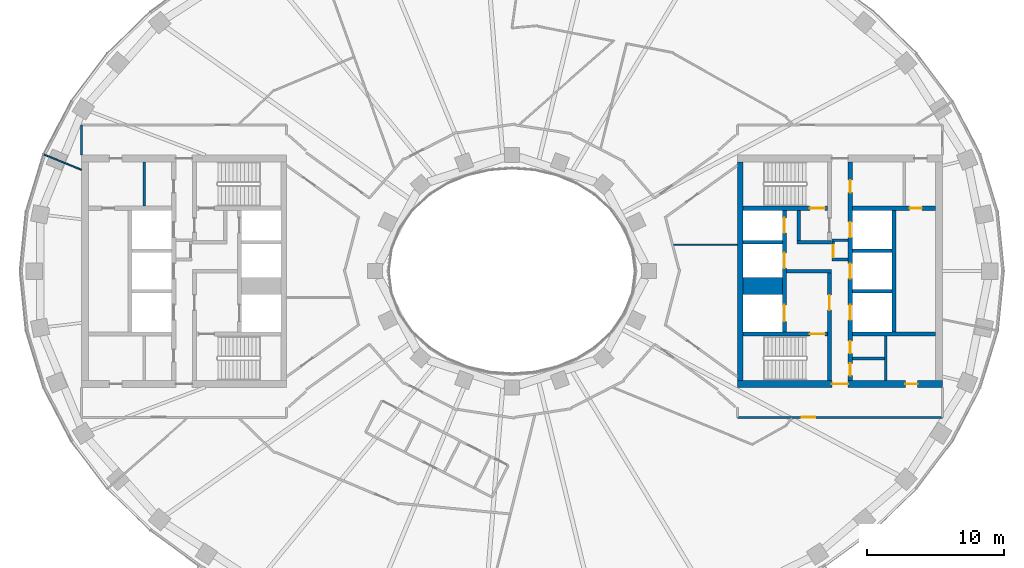
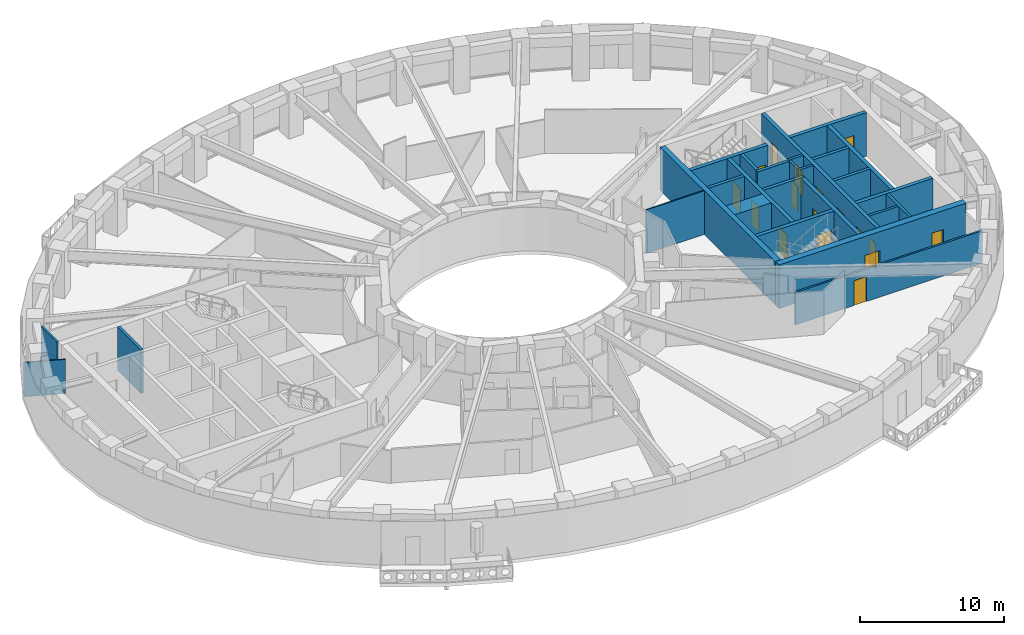
# One storey, part 5 of 15: 27 walls, 17 doors, 17 openings.
"""IFC4 building model written with IfcOpenShell, lengths in metres."""

from ifc_helpers import new_model, si_unit, direction, frame, frame_2d, origin, place, context, subcontext, project, spatial, rectangle, extrude, material, layer, layer_set, type_object, element, fill, save


model = new_model("IFC4")

# Units and contexts
model_context = context("Model", 3, precision=1e-05, world=origin(), true_north=direction((0.0, 1.0)))
body_context = subcontext(model_context, "Body", "Model", "MODEL_VIEW")
ifc_project = project(units=[si_unit("LENGTHUNIT", "METRE"), si_unit("AREAUNIT", "SQUARE_METRE"), si_unit("VOLUMEUNIT", "CUBIC_METRE"), si_unit("PLANEANGLEUNIT", "RADIAN"), si_unit("MASSUNIT", "GRAM", prefix="KILO")], contexts=[model_context])

# Site, building, storey
site_placement = place(None, origin())
site = spatial("IfcSite", under=ifc_project, at=site_placement, CompositionType="ELEMENT")
building_placement = place(site_placement, origin())
building = spatial("IfcBuilding", under=site, at=building_placement, Name="Noorbagh Ring Tower", CompositionType="ELEMENT")
storey_placement = place(building_placement, frame((0.0, 0.0, 170.0)))
storey = spatial("IfcBuildingStorey", under=building, at=storey_placement, Name="L39", CompositionType="ELEMENT", Elevation=170.0)

# Walls
ifc_material_1 = material(Name="Gypsum board on steel studs", Category="steel")
ifc_layer_1 = layer(ifc_material_1, 0.199951171875)
ifc_layer_set_1 = layer_set([ifc_layer_1], Name="Gypsum board on steel studs")
wall_type_1 = type_object("IfcWallType", Name="CORE-PARTITION-200", PredefinedType="PARTITIONING", material=ifc_layer_set_1)
wall_1_placement = place(storey_placement, frame((-26.89990234375, 4.75, 0.0), z_axis=(0.0, 0.0, 1.0), x_axis=(0.0, 1.0, 0.0)))
element("IfcWall", 1, at=wall_1_placement, inside=storey, type_object=wall_type_1, Name="Core partition W", PredefinedType="PARTITIONING", context=body_context, shape_type="SweptSolid", body=[
    extrude(rectangle(XDim=3.25, YDim=0.199951171875, at=frame_2d((1.625, 0.0))), origin(), (0.0, 0.0, 1.0), 3.699951171875),
])
for number, where, z_axis, x_axis, name in (
    (2, (23.39990234375, 0.85009765625, 0.0), (0.0, 0.0, 1.0), (1.0, 0.0, 0.0), "Core partition E"),
    (3, (23.39990234375, 2.25, 0.0), (0.0, 0.0, 1.0), (1.0, 0.0, 0.0), "Core partition E"),
):
    element("IfcWall", number, at=place(storey_placement, frame(where, z_axis=z_axis, x_axis=x_axis)), inside=storey, type_object=wall_type_1, Name=name, PredefinedType="PARTITIONING", context=body_context, shape_type="SweptSolid", body=[
        extrude(rectangle(XDim=1.2001953125, YDim=0.199951171875, at=frame_2d((0.60009765625, 0.0))), origin(), (0.0, 0.0, 1.0), 3.699951171875),
    ])

# Wall, opening, door
wall_2_placement = place(storey_placement, frame((23.5, 0.75, 0.0), z_axis=(0.0, 0.0, 1.0), x_axis=(0.0, 1.0, 0.0)))
wall_2 = element("IfcWall", 4, at=wall_2_placement, inside=storey, type_object=wall_type_1, Name="Core partition E", PredefinedType="PARTITIONING", context=body_context, shape_type="SweptSolid", body=[
    extrude(rectangle(XDim=1.60009765625, YDim=0.199951171875, at=frame_2d((0.800048828125, 0.0))), origin(), (0.0, 0.0, 1.0), 3.699951171875),
])
opening_1_placement = place(wall_2_placement, frame((0.25, 0.0, 0.0)))
opening_1 = element("IfcOpeningElement", 5, at=opening_1_placement, cuts=wall_2, Name="Opening L39-CE18", PredefinedType="OPENING", context=body_context, shape_type="SweptSolid", body=[
    extrude(rectangle(XDim=0.89990234375, YDim=2.10009765625, at=frame_2d((0.449951171875, 1.050048828125))), frame((0.0, 0.10986328125, 0.0), z_axis=(0.0, -1.0, 0.0), x_axis=(1.0, 0.0, 0.0)), (0.0, 0.0, 1.0), 0.219970703125),
])
ifc_material_2 = material(Name="Steel door leaf", Category="steel")
door_type_1 = type_object("IfcDoorType", Name="CORE-DOOR-DROOM", OperationType="SINGLE_SWING_LEFT", PredefinedType="DOOR", material=ifc_material_2)
door_1_placement = place(opening_1_placement, origin())
door_1 = element("IfcDoor", 6, at=door_1_placement, inside=storey, type_object=door_type_1, Name="Core room door L39-CE18", OperationType="SINGLE_SWING_LEFT", OverallHeight=2.10009765625, OverallWidth=0.89990234375, PredefinedType="DOOR", context=body_context, shape_type="SweptSolid", body=[
    extrude(rectangle(XDim=0.89990234375, YDim=2.10009765625, at=frame_2d((0.449951171875, 1.050048828125))), frame((0.0, 0.02490234375, 0.0), z_axis=(0.0, -1.0, 0.0), x_axis=(1.0, 0.0, 0.0)), (0.0, 0.0, 1.0), 0.050048828125),
])
fill(opening_1, door_1)

# Walls
wall_3_placement = place(storey_placement, frame((27.35009765625, -8.0, 0.0), z_axis=(0.0, 0.0, 1.0), x_axis=(0.0, 1.0, 0.0)))
element("IfcWall", 7, at=wall_3_placement, inside=storey, type_object=wall_type_1, Name="Core partition E", PredefinedType="PARTITIONING", context=body_context, shape_type="SweptSolid", body=[
    extrude(rectangle(XDim=3.25, YDim=0.199951171875, at=frame_2d((1.625, 0.0))), origin(), (0.0, 0.0, 1.0), 3.699951171875),
])
wall_4_placement = place(storey_placement, frame((24.89990234375, -6.39990234375, 0.0), z_axis=(0.0, 0.0, 1.0), x_axis=(1.0, 0.0, 0.0)))
element("IfcWall", 8, at=wall_4_placement, inside=storey, type_object=wall_type_1, Name="Core partition E", PredefinedType="PARTITIONING", context=body_context, shape_type="SweptSolid", body=[
    extrude(rectangle(XDim=2.35009765625, YDim=0.199951171875, at=frame_2d((1.175048828125, 0.0))), origin(), (0.0, 0.0, 1.0), 3.699951171875),
])
ifc_material_3 = material(Name="Concrete C60/75", Category="concrete")
ifc_layer_2 = layer(ifc_material_3, 1.25)
ifc_layer_set_2 = layer_set([ifc_layer_2], Name="Concrete C60/75")
wall_type_2 = type_object("IfcWallType", Name="CORE-WALL-1250-C60-75-EI120", PredefinedType="SHEAR", material=ifc_layer_set_2)
wall_5_placement = place(storey_placement, frame((16.89990234375, -1.074951171875, 0.0), z_axis=(0.0, 0.0, 1.0), x_axis=(1.0, 0.0, 0.0)))
element("IfcWall", 9, at=wall_5_placement, inside=storey, type_object=wall_type_2, Name="Core wall E", PredefinedType="SHEAR", context=body_context, shape_type="SweptSolid", body=[
    extrude(rectangle(XDim=2.900146484375, YDim=1.25, at=frame_2d((1.4501953125, 0.0))), origin(), (0.0, 0.0, 1.0), 3.699951171875),
])
ifc_material_4 = material(Name="Concrete C60/75", Category="concrete")
ifc_layer_3 = layer(ifc_material_4, 0.25)
ifc_layer_set_3 = layer_set([ifc_layer_3], Name="Concrete C60/75")
wall_type_3 = type_object("IfcWallType", Name="CORE-WALL-250-C60-75-EI120", PredefinedType="SHEAR", material=ifc_layer_set_3)
for number, where, z_axis, x_axis, name in (
    (10, (16.89990234375, 2.125, 0.0), (0.0, 0.0, 1.0), (1.0, 0.0, 0.0), "Core wall E"),
    (11, (24.89990234375, -1.47509765625, 0.0), (0.0, 0.0, 1.0), (1.0, 0.0, 0.0), "Core wall E"),
    (12, (24.89990234375, 1.47509765625, 0.0), (0.0, 0.0, 1.0), (1.0, 0.0, 0.0), "Core wall E"),
):
    element("IfcWall", number, at=place(storey_placement, frame(where, z_axis=z_axis, x_axis=x_axis)), inside=storey, type_object=wall_type_3, Name=name, PredefinedType="SHEAR", context=body_context, shape_type="SweptSolid", body=[
        extrude(rectangle(XDim=2.900146484375, YDim=0.25, at=frame_2d((1.4501953125, 0.0))), origin(), (0.0, 0.0, 1.0), 3.699951171875),
    ])
ifc_material_5 = material(Name="Concrete C60/75", Category="concrete")
ifc_layer_4 = layer(ifc_material_5, 0.25)
ifc_layer_set_4 = layer_set([ifc_layer_4], Name="Concrete C60/75")
wall_type_4 = type_object("IfcWallType", Name="CORE-WALL-250-C60-75-EI240", PredefinedType="SHEAR", material=ifc_layer_set_4)
wall_6_placement = place(storey_placement, frame((20.10009765625, 0.0, 0.0), z_axis=(0.0, 0.0, 1.0), x_axis=(1.0, 0.0, 0.0)))
element("IfcWall", 13, at=wall_6_placement, inside=storey, type_object=wall_type_4, Name="Core wall E", PredefinedType="SHEAR", context=body_context, shape_type="SweptSolid", body=[
    extrude(rectangle(XDim=3.27978515625, YDim=0.25, at=frame_2d((1.639892578125, 0.0))), origin(), (0.0, 0.0, 1.0), 3.699951171875),
])
wall_7_placement = place(storey_placement, frame((20.85009765625, 2.125, 0.0), z_axis=(0.0, 0.0, 1.0), x_axis=(1.0, 0.0, 0.0)))
element("IfcWall", 14, at=wall_7_placement, inside=storey, type_object=wall_type_4, Name="Core wall E", PredefinedType="SHEAR", context=body_context, shape_type="SweptSolid", body=[
    extrude(rectangle(XDim=2.52978515625, YDim=0.25, at=frame_2d((1.264892578125, 0.0))), origin(), (0.0, 0.0, 1.0), 3.699951171875),
])
wall_8_placement = place(storey_placement, frame((20.97509765625, 2.25, 0.0), z_axis=(0.0, 0.0, 1.0), x_axis=(0.0, 1.0, 0.0)))
element("IfcWall", 15, at=wall_8_placement, inside=storey, type_object=wall_type_4, Name="Core wall E", PredefinedType="SHEAR", context=body_context, shape_type="SweptSolid", body=[
    extrude(rectangle(XDim=2.199951171875, YDim=0.25, at=frame_2d((1.10009765625, 0.0))), origin(), (0.0, 0.0, 1.0), 3.699951171875),
])
ifc_material_6 = material(Name="Concrete C60/75", Category="concrete")
ifc_layer_5 = layer(ifc_material_6, 0.300048828125)
ifc_layer_set_5 = layer_set([ifc_layer_5], Name="Concrete C60/75")
wall_type_5 = type_object("IfcWallType", Name="CORE-WALL-300-C60-75-EI120", PredefinedType="SHEAR", material=ifc_layer_set_5)
wall_9_placement = place(storey_placement, frame((27.949951171875, -4.449951171875, 0.0), z_axis=(0.0, 0.0, 1.0), x_axis=(0.0, 1.0, 0.0)))
element("IfcWall", 16, at=wall_9_placement, inside=storey, type_object=wall_type_5, Name="Core wall E", PredefinedType="SHEAR", context=body_context, shape_type="SweptSolid", body=[
    extrude(rectangle(XDim=8.89990234375, YDim=0.300048828125, at=frame_2d((4.449951171875, 0.0))), origin(), (0.0, 0.0, 1.0), 3.699951171875),
])

# Wall, openings, doors
wall_10_placement = place(storey_placement, frame((19.949951171875, -4.449951171875, 0.0), z_axis=(0.0, 0.0, 1.0), x_axis=(0.0, 1.0, 0.0)))
wall_10 = element("IfcWall", 17, at=wall_10_placement, inside=storey, type_object=wall_type_5, Name="Core wall E", PredefinedType="SHEAR", context=body_context, shape_type="SweptSolid", body=[
    extrude(rectangle(XDim=8.89990234375, YDim=0.300048828125, at=frame_2d((4.449951171875, 0.0))), origin(), (0.0, 0.0, 1.0), 3.699951171875),
])
opening_2_placement = place(wall_10_placement, frame((0.77490234375, 0.0, 0.0)))
opening_2 = element("IfcOpeningElement", 18, at=opening_2_placement, cuts=wall_10, Name="Opening L39-CE01", PredefinedType="OPENING", context=body_context, shape_type="SweptSolid", body=[
    extrude(rectangle(XDim=1.199951171875, YDim=2.10009765625, at=frame_2d((0.60009765625, 1.050048828125))), frame((0.0, 0.16015625, 0.0), z_axis=(0.0, -1.0, 0.0), x_axis=(1.0, 0.0, 0.0)), (0.0, 0.0, 1.0), 0.320068359375),
])
opening_3_placement = place(wall_10_placement, frame((4.675048828125, 0.0, 0.0)))
opening_3 = element("IfcOpeningElement", 19, at=opening_3_placement, cuts=wall_10, Name="Opening L39-CE02", PredefinedType="OPENING", context=body_context, shape_type="SweptSolid", body=[
    extrude(rectangle(XDim=1.10009765625, YDim=2.10009765625, at=frame_2d((0.550048828125, 1.050048828125))), frame((0.0, 0.16015625, 0.0), z_axis=(0.0, -1.0, 0.0), x_axis=(1.0, 0.0, 0.0)), (0.0, 0.0, 1.0), 0.320068359375),
])
opening_4_placement = place(wall_10_placement, frame((7.25, 0.0, 0.0)))
opening_4 = element("IfcOpeningElement", 20, at=opening_4_placement, cuts=wall_10, Name="Opening L39-CE03", PredefinedType="OPENING", context=body_context, shape_type="SweptSolid", body=[
    extrude(rectangle(XDim=1.10009765625, YDim=2.10009765625, at=frame_2d((0.550048828125, 1.050048828125))), frame((0.0, 0.16015625, 0.0), z_axis=(0.0, -1.0, 0.0), x_axis=(1.0, 0.0, 0.0)), (0.0, 0.0, 1.0), 0.320068359375),
])
ifc_material_7 = material(Name="Steel door leaf", Category="steel")
door_type_2 = type_object("IfcDoorType", Name="CORE-DOOR-LD", OperationType="DOUBLE_DOOR_SLIDING", PredefinedType="DOOR", material=ifc_material_7)
door_2_placement = place(opening_3_placement, origin())
door_2 = element("IfcDoor", 21, at=door_2_placement, inside=storey, type_object=door_type_2, Name="Landing door HR7 L39-CE02", OperationType="DOUBLE_DOOR_SLIDING", OverallHeight=2.10009765625, OverallWidth=1.10009765625, PredefinedType="DOOR", context=body_context, shape_type="SweptSolid", body=[
    extrude(rectangle(XDim=1.10009765625, YDim=2.10009765625, at=frame_2d((0.550048828125, 1.050048828125))), frame((0.0, 0.02490234375, 0.0), z_axis=(0.0, -1.0, 0.0), x_axis=(1.0, 0.0, 0.0)), (0.0, 0.0, 1.0), 0.050048828125),
])
fill(opening_3, door_2)
door_3_placement = place(opening_4_placement, origin())
door_3 = element("IfcDoor", 22, at=door_3_placement, inside=storey, type_object=door_type_2, Name="Landing door HR8 L39-CE03", OperationType="DOUBLE_DOOR_SLIDING", OverallHeight=2.10009765625, OverallWidth=1.10009765625, PredefinedType="DOOR", context=body_context, shape_type="SweptSolid", body=[
    extrude(rectangle(XDim=1.10009765625, YDim=2.10009765625, at=frame_2d((0.550048828125, 1.050048828125))), frame((0.0, 0.02490234375, 0.0), z_axis=(0.0, -1.0, 0.0), x_axis=(1.0, 0.0, 0.0)), (0.0, 0.0, 1.0), 0.050048828125),
])
fill(opening_4, door_3)
ifc_material_8 = material(Name="Steel door leaf", Category="steel")
door_type_3 = type_object("IfcDoorType", Name="CORE-DOOR-LDW", OperationType="DOUBLE_DOOR_SLIDING", PredefinedType="DOOR", material=ifc_material_8)
door_4_placement = place(opening_2_placement, origin())
door_4 = element("IfcDoor", 23, at=door_4_placement, inside=storey, type_object=door_type_3, Name="Landing door FF2 L39-CE01", OperationType="DOUBLE_DOOR_SLIDING", OverallHeight=2.10009765625, OverallWidth=1.199951171875, PredefinedType="DOOR", context=body_context, shape_type="SweptSolid", body=[
    extrude(rectangle(XDim=1.199951171875, YDim=2.10009765625, at=frame_2d((0.60009765625, 1.050048828125))), frame((0.0, 0.02490234375, 0.0), z_axis=(0.0, -1.0, 0.0), x_axis=(1.0, 0.0, 0.0)), (0.0, 0.0, 1.0), 0.050048828125),
])
fill(opening_2, door_4)

wall_11_placement = place(storey_placement, frame((24.75, -8.0, 0.0), z_axis=(0.0, 0.0, 1.0), x_axis=(0.0, 1.0, 0.0)))
wall_11 = element("IfcWall", 24, at=wall_11_placement, inside=storey, type_object=wall_type_5, Name="Core wall E", PredefinedType="SHEAR", context=body_context, shape_type="SweptSolid", body=[
    extrude(rectangle(XDim=16.0, YDim=0.300048828125, at=frame_2d((8.0, 0.0))), origin(), (0.0, 0.0, 1.0), 3.699951171875),
])
opening_5_placement = place(wall_11_placement, frame((4.425048828125, 0.0, 0.0)))
opening_5 = element("IfcOpeningElement", 25, at=opening_5_placement, cuts=wall_11, Name="Opening L39-CE04", PredefinedType="OPENING", context=body_context, shape_type="SweptSolid", body=[
    extrude(rectangle(XDim=1.10009765625, YDim=2.10009765625, at=frame_2d((0.550048828125, 1.050048828125))), frame((0.0, 0.16015625, 0.0), z_axis=(0.0, -1.0, 0.0), x_axis=(1.0, 0.0, 0.0)), (0.0, 0.0, 1.0), 0.320068359375),
])
opening_6_placement = place(wall_11_placement, frame((7.449951171875, 0.0, 0.0)))
opening_6 = element("IfcOpeningElement", 26, at=opening_6_placement, cuts=wall_11, Name="Opening L39-CE05", PredefinedType="OPENING", context=body_context, shape_type="SweptSolid", body=[
    extrude(rectangle(XDim=1.10009765625, YDim=2.10009765625, at=frame_2d((0.550048828125, 1.050048828125))), frame((0.0, 0.16015625, 0.0), z_axis=(0.0, -1.0, 0.0), x_axis=(1.0, 0.0, 0.0)), (0.0, 0.0, 1.0), 0.320068359375),
])
opening_7_placement = place(wall_11_placement, frame((10.47509765625, 0.0, 0.0)))
opening_7 = element("IfcOpeningElement", 27, at=opening_7_placement, cuts=wall_11, Name="Opening L39-CE06", PredefinedType="OPENING", context=body_context, shape_type="SweptSolid", body=[
    extrude(rectangle(XDim=1.10009765625, YDim=2.10009765625, at=frame_2d((0.550048828125, 1.050048828125))), frame((0.0, 0.16015625, 0.0), z_axis=(0.0, -1.0, 0.0), x_axis=(1.0, 0.0, 0.0)), (0.0, 0.0, 1.0), 0.320068359375),
])
opening_8_placement = place(wall_11_placement, frame((13.75, 0.0, 0.0)))
opening_8 = element("IfcOpeningElement", 28, at=opening_8_placement, cuts=wall_11, Name="Opening L39-CE13", PredefinedType="OPENING", context=body_context, shape_type="SweptSolid", body=[
    extrude(rectangle(XDim=0.89990234375, YDim=2.10009765625, at=frame_2d((0.449951171875, 1.050048828125))), frame((0.0, 0.16015625, 0.0), z_axis=(0.0, -1.0, 0.0), x_axis=(1.0, 0.0, 0.0)), (0.0, 0.0, 1.0), 0.320068359375),
])
opening_9_placement = place(wall_11_placement, frame((1.97509765625, 0.0, 0.0)))
opening_9 = element("IfcOpeningElement", 29, at=opening_9_placement, cuts=wall_11, Name="Opening L39-CE15", PredefinedType="OPENING", context=body_context, shape_type="SweptSolid", body=[
    extrude(rectangle(XDim=0.89990234375, YDim=2.10009765625, at=frame_2d((0.449951171875, 1.050048828125))), frame((0.0, 0.16015625, 0.0), z_axis=(0.0, -1.0, 0.0), x_axis=(1.0, 0.0, 0.0)), (0.0, 0.0, 1.0), 0.320068359375),
])
opening_10_placement = place(wall_11_placement, frame((0.35009765625, 0.0, 0.0)))
opening_10 = element("IfcOpeningElement", 30, at=opening_10_placement, cuts=wall_11, Name="Opening L39-CE16", PredefinedType="OPENING", context=body_context, shape_type="SweptSolid", body=[
    extrude(rectangle(XDim=0.89990234375, YDim=2.10009765625, at=frame_2d((0.449951171875, 1.050048828125))), frame((0.0, 0.16015625, 0.0), z_axis=(0.0, -1.0, 0.0), x_axis=(1.0, 0.0, 0.0)), (0.0, 0.0, 1.0), 0.320068359375),
])
door_5_placement = place(opening_8_placement, origin())
door_5 = element("IfcDoor", 31, at=door_5_placement, inside=storey, type_object=door_type_1, Name="Core room door L39-CE13", OperationType="SINGLE_SWING_LEFT", OverallHeight=2.10009765625, OverallWidth=0.89990234375, PredefinedType="DOOR", context=body_context, shape_type="SweptSolid", body=[
    extrude(rectangle(XDim=0.89990234375, YDim=2.10009765625, at=frame_2d((0.449951171875, 1.050048828125))), frame((0.0, 0.02490234375, 0.0), z_axis=(0.0, -1.0, 0.0), x_axis=(1.0, 0.0, 0.0)), (0.0, 0.0, 1.0), 0.050048828125),
])
fill(opening_8, door_5)
door_6_placement = place(opening_9_placement, origin())
door_6 = element("IfcDoor", 32, at=door_6_placement, inside=storey, type_object=door_type_1, Name="Core room door L39-CE15", OperationType="SINGLE_SWING_LEFT", OverallHeight=2.10009765625, OverallWidth=0.89990234375, PredefinedType="DOOR", context=body_context, shape_type="SweptSolid", body=[
    extrude(rectangle(XDim=0.89990234375, YDim=2.10009765625, at=frame_2d((0.449951171875, 1.050048828125))), frame((0.0, 0.02490234375, 0.0), z_axis=(0.0, -1.0, 0.0), x_axis=(1.0, 0.0, 0.0)), (0.0, 0.0, 1.0), 0.050048828125),
])
fill(opening_9, door_6)
door_7_placement = place(opening_10_placement, origin())
door_7 = element("IfcDoor", 33, at=door_7_placement, inside=storey, type_object=door_type_1, Name="Core room door L39-CE16", OperationType="SINGLE_SWING_RIGHT", OverallHeight=2.10009765625, OverallWidth=0.89990234375, PredefinedType="DOOR", context=body_context, shape_type="SweptSolid", body=[
    extrude(rectangle(XDim=0.89990234375, YDim=2.10009765625, at=frame_2d((0.449951171875, 1.050048828125))), frame((0.0, 0.02490234375, 0.0), z_axis=(0.0, -1.0, 0.0), x_axis=(1.0, 0.0, 0.0)), (0.0, 0.0, 1.0), 0.050048828125),
])
fill(opening_10, door_7)
door_8_placement = place(opening_5_placement, origin())
door_8 = element("IfcDoor", 34, at=door_8_placement, inside=storey, type_object=door_type_2, Name="Landing door HR9 L39-CE04", OperationType="DOUBLE_DOOR_SLIDING", OverallHeight=2.10009765625, OverallWidth=1.10009765625, PredefinedType="DOOR", context=body_context, shape_type="SweptSolid", body=[
    extrude(rectangle(XDim=1.10009765625, YDim=2.10009765625, at=frame_2d((0.550048828125, 1.050048828125))), frame((0.0, 0.02490234375, 0.0), z_axis=(0.0, -1.0, 0.0), x_axis=(1.0, 0.0, 0.0)), (0.0, 0.0, 1.0), 0.050048828125),
])
fill(opening_5, door_8)
door_9_placement = place(opening_6_placement, origin())
door_9 = element("IfcDoor", 35, at=door_9_placement, inside=storey, type_object=door_type_2, Name="Landing door HR10 L39-CE05", OperationType="DOUBLE_DOOR_SLIDING", OverallHeight=2.10009765625, OverallWidth=1.10009765625, PredefinedType="DOOR", context=body_context, shape_type="SweptSolid", body=[
    extrude(rectangle(XDim=1.10009765625, YDim=2.10009765625, at=frame_2d((0.550048828125, 1.050048828125))), frame((0.0, 0.02490234375, 0.0), z_axis=(0.0, -1.0, 0.0), x_axis=(1.0, 0.0, 0.0)), (0.0, 0.0, 1.0), 0.050048828125),
])
fill(opening_6, door_9)
door_10_placement = place(opening_7_placement, origin())
door_10 = element("IfcDoor", 36, at=door_10_placement, inside=storey, type_object=door_type_2, Name="Landing door HR11 L39-CE06", OperationType="DOUBLE_DOOR_SLIDING", OverallHeight=2.10009765625, OverallWidth=1.10009765625, PredefinedType="DOOR", context=body_context, shape_type="SweptSolid", body=[
    extrude(rectangle(XDim=1.10009765625, YDim=2.10009765625, at=frame_2d((0.550048828125, 1.050048828125))), frame((0.0, 0.02490234375, 0.0), z_axis=(0.0, -1.0, 0.0), x_axis=(1.0, 0.0, 0.0)), (0.0, 0.0, 1.0), 0.050048828125),
])
fill(opening_7, door_10)

# Wall, opening, door
ifc_material_9 = material(Name="Concrete C60/75", Category="concrete")
ifc_layer_6 = layer(ifc_material_9, 0.300048828125)
ifc_layer_set_6 = layer_set([ifc_layer_6], Name="Concrete C60/75")
wall_type_6 = type_object("IfcWallType", Name="CORE-WALL-300-C60-75-EI240", PredefinedType="SHEAR", material=ifc_layer_set_6)
wall_12_placement = place(storey_placement, frame((24.89990234375, 4.60009765625, 0.0), z_axis=(0.0, 0.0, 1.0), x_axis=(1.0, 0.0, 0.0)))
wall_12 = element("IfcWall", 37, at=wall_12_placement, inside=storey, type_object=wall_type_6, Name="Core wall E", PredefinedType="SHEAR", context=body_context, shape_type="SweptSolid", body=[
    extrude(rectangle(XDim=6.10009765625, YDim=0.300048828125, at=frame_2d((3.050048828125, 0.0))), origin(), (0.0, 0.0, 1.0), 3.699951171875),
])
opening_11_placement = place(wall_12_placement, frame((4.199951171875, 0.0, 0.0)))
opening_11 = element("IfcOpeningElement", 38, at=opening_11_placement, cuts=wall_12, Name="Opening L39-CE19", PredefinedType="OPENING", context=body_context, shape_type="SweptSolid", body=[
    extrude(rectangle(XDim=0.89990234375, YDim=2.10009765625, at=frame_2d((0.449951171875, 1.050048828125))), frame((0.0, 0.16015625, 0.0), z_axis=(0.0, -1.0, 0.0), x_axis=(1.0, 0.0, 0.0)), (0.0, 0.0, 1.0), 0.320068359375),
])
door_11_placement = place(opening_11_placement, origin())
door_11 = element("IfcDoor", 39, at=door_11_placement, inside=storey, type_object=door_type_1, Name="Core room door L39-CE19", OperationType="SINGLE_SWING_RIGHT", OverallHeight=2.10009765625, OverallWidth=0.89990234375, PredefinedType="DOOR", context=body_context, shape_type="SweptSolid", body=[
    extrude(rectangle(XDim=0.89990234375, YDim=2.10009765625, at=frame_2d((0.449951171875, 1.050048828125))), frame((0.0, 0.02490234375, 0.0), z_axis=(0.0, -1.0, 0.0), x_axis=(1.0, 0.0, 0.0)), (0.0, 0.0, 1.0), 0.050048828125),
])
fill(opening_11, door_11)

# Wall
wall_13_placement = place(storey_placement, frame((24.89990234375, -4.60009765625, 0.0), z_axis=(0.0, 0.0, 1.0), x_axis=(1.0, 0.0, 0.0)))
element("IfcWall", 40, at=wall_13_placement, inside=storey, type_object=wall_type_6, Name="Core wall E", PredefinedType="SHEAR", context=body_context, shape_type="SweptSolid", body=[
    extrude(rectangle(XDim=6.10009765625, YDim=0.300048828125, at=frame_2d((3.050048828125, 0.0))), origin(), (0.0, 0.0, 1.0), 3.699951171875),
])

# Wall, opening, door
wall_14_placement = place(storey_placement, frame((23.22998046875, -8.0, 0.0), z_axis=(0.0, 0.0, 1.0), x_axis=(0.0, 1.0, 0.0)))
wall_14 = element("IfcWall", 41, at=wall_14_placement, inside=storey, type_object=wall_type_6, Name="Core wall E", PredefinedType="SHEAR", context=body_context, shape_type="SweptSolid", body=[
    extrude(rectangle(XDim=7.875, YDim=0.300048828125, at=frame_2d((3.9375, 0.0))), origin(), (0.0, 0.0, 1.0), 3.699951171875),
])
opening_12_placement = place(wall_14_placement, frame((5.14990234375, 0.0, 0.0)))
opening_12 = element("IfcOpeningElement", 42, at=opening_12_placement, cuts=wall_14, Name="Opening L39-CE09", PredefinedType="OPENING", context=body_context, shape_type="SweptSolid", body=[
    extrude(rectangle(XDim=1.10009765625, YDim=2.10009765625, at=frame_2d((0.550048828125, 1.050048828125))), frame((0.0, 0.16015625, 0.0), z_axis=(0.0, -1.0, 0.0), x_axis=(1.0, 0.0, 0.0)), (0.0, 0.0, 1.0), 0.320068359375),
])
ifc_material_10 = material(Name="Steel door leaf", Category="steel")
door_type_4 = type_object("IfcDoorType", Name="CORE-DOOR-DFF", OperationType="SINGLE_SWING_LEFT", PredefinedType="DOOR", material=ifc_material_10)
door_12_placement = place(opening_12_placement, origin())
door_12 = element("IfcDoor", 43, at=door_12_placement, inside=storey, type_object=door_type_4, Name="Firefighting lobby door L39-CE09", OperationType="SINGLE_SWING_RIGHT", OverallHeight=2.10009765625, OverallWidth=1.10009765625, PredefinedType="DOOR", context=body_context, shape_type="SweptSolid", body=[
    extrude(rectangle(XDim=1.10009765625, YDim=2.10009765625, at=frame_2d((0.550048828125, 1.050048828125))), frame((0.0, 0.02490234375, 0.0), z_axis=(0.0, -1.0, 0.0), x_axis=(1.0, 0.0, 0.0)), (0.0, 0.0, 1.0), 0.050048828125),
])
fill(opening_12, door_12)

wall_15_placement = place(storey_placement, frame((16.89990234375, 4.60009765625, 0.0), z_axis=(0.0, 0.0, 1.0), x_axis=(1.0, 0.0, 0.0)))
wall_15 = element("IfcWall", 44, at=wall_15_placement, inside=storey, type_object=wall_type_6, Name="Core wall E", PredefinedType="SHEAR", context=body_context, shape_type="SweptSolid", body=[
    extrude(rectangle(XDim=6.18017578125, YDim=0.300048828125, at=frame_2d((3.090087890625, 0.0))), origin(), (0.0, 0.0, 1.0), 3.699951171875),
])
opening_13_placement = place(wall_15_placement, frame((4.89990234375, 0.0, 0.0)))
opening_13 = element("IfcOpeningElement", 45, at=opening_13_placement, cuts=wall_15, Name="Opening L39-CE07", PredefinedType="OPENING", context=body_context, shape_type="SweptSolid", body=[
    extrude(rectangle(XDim=1.10009765625, YDim=2.10009765625, at=frame_2d((0.550048828125, 1.050048828125))), frame((0.0, 0.16015625, 0.0), z_axis=(0.0, -1.0, 0.0), x_axis=(1.0, 0.0, 0.0)), (0.0, 0.0, 1.0), 0.320068359375),
])
ifc_material_11 = material(Name="Steel door leaf", Category="steel")
door_type_5 = type_object("IfcDoorType", Name="CORE-DOOR-DSTAIR", OperationType="SINGLE_SWING_LEFT", PredefinedType="DOOR", material=ifc_material_11)
door_13_placement = place(opening_13_placement, origin())
door_13 = element("IfcDoor", 46, at=door_13_placement, inside=storey, type_object=door_type_5, Name="Stair door ST3 L39-CE07", OperationType="SINGLE_SWING_LEFT", OverallHeight=2.10009765625, OverallWidth=1.10009765625, PredefinedType="DOOR", context=body_context, shape_type="SweptSolid", body=[
    extrude(rectangle(XDim=1.10009765625, YDim=2.10009765625, at=frame_2d((0.550048828125, 1.050048828125))), frame((0.0, 0.02490234375, 0.0), z_axis=(0.0, -1.0, 0.0), x_axis=(1.0, 0.0, 0.0)), (0.0, 0.0, 1.0), 0.050048828125),
])
fill(opening_13, door_13)

wall_16_placement = place(storey_placement, frame((16.89990234375, -4.60009765625, 0.0), z_axis=(0.0, 0.0, 1.0), x_axis=(1.0, 0.0, 0.0)))
wall_16 = element("IfcWall", 47, at=wall_16_placement, inside=storey, type_object=wall_type_6, Name="Core wall E", PredefinedType="SHEAR", context=body_context, shape_type="SweptSolid", body=[
    extrude(rectangle(XDim=6.18017578125, YDim=0.300048828125, at=frame_2d((3.090087890625, 0.0))), origin(), (0.0, 0.0, 1.0), 3.699951171875),
])
opening_14_placement = place(wall_16_placement, frame((4.89990234375, 0.0, 0.0)))
opening_14 = element("IfcOpeningElement", 48, at=opening_14_placement, cuts=wall_16, Name="Opening L39-CE08", PredefinedType="OPENING", context=body_context, shape_type="SweptSolid", body=[
    extrude(rectangle(XDim=1.10009765625, YDim=2.10009765625, at=frame_2d((0.550048828125, 1.050048828125))), frame((0.0, 0.16015625, 0.0), z_axis=(0.0, -1.0, 0.0), x_axis=(1.0, 0.0, 0.0)), (0.0, 0.0, 1.0), 0.320068359375),
])
door_14_placement = place(opening_14_placement, origin())
door_14 = element("IfcDoor", 49, at=door_14_placement, inside=storey, type_object=door_type_5, Name="Stair door ST4 L39-CE08", OperationType="SINGLE_SWING_RIGHT", OverallHeight=2.10009765625, OverallWidth=1.10009765625, PredefinedType="DOOR", context=body_context, shape_type="SweptSolid", body=[
    extrude(rectangle(XDim=1.10009765625, YDim=2.10009765625, at=frame_2d((0.550048828125, 1.050048828125))), frame((0.0, 0.02490234375, 0.0), z_axis=(0.0, -1.0, 0.0), x_axis=(1.0, 0.0, 0.0)), (0.0, 0.0, 1.0), 0.050048828125),
])
fill(opening_14, door_14)

# Wall
ifc_material_12 = material(Name="Concrete C60/75", Category="concrete")
ifc_layer_7 = layer(ifc_material_12, 0.39990234375)
ifc_layer_set_7 = layer_set([ifc_layer_7], Name="Concrete C60/75")
wall_type_7 = type_object("IfcWallType", Name="CORE-WALL-400-C60-75-EI240", PredefinedType="SHEAR", material=ifc_layer_set_7)
wall_17_placement = place(storey_placement, frame((16.699951171875, -8.0, 0.0), z_axis=(0.0, 0.0, 1.0), x_axis=(0.0, 1.0, 0.0)))
element("IfcWall", 50, at=wall_17_placement, inside=storey, type_object=wall_type_7, Name="Core wall E", PredefinedType="SHEAR", context=body_context, shape_type="SweptSolid", body=[
    extrude(rectangle(XDim=16.0, YDim=0.39990234375, at=frame_2d((8.0, 0.0))), origin(), (0.0, 0.0, 1.0), 3.699951171875),
])

# Wall, openings, doors
ifc_material_13 = material(Name="Concrete C60/75", Category="concrete")
ifc_layer_8 = layer(ifc_material_13, 0.5)
ifc_layer_set_8 = layer_set([ifc_layer_8], Name="Concrete C60/75")
wall_type_8 = type_object("IfcWallType", Name="CORE-WALL-500-C60-75-EI240", PredefinedType="SHEAR", material=ifc_layer_set_8)
wall_18_placement = place(storey_placement, frame((16.5, -8.25, 0.0), z_axis=(0.0, 0.0, 1.0), x_axis=(1.0, 0.0, 0.0)))
wall_18 = element("IfcWall", 51, at=wall_18_placement, inside=storey, type_object=wall_type_8, Name="Core wall E", PredefinedType="SHEAR", context=body_context, shape_type="SweptSolid", body=[
    extrude(rectangle(XDim=15.0, YDim=0.5, at=frame_2d((7.5, 0.0))), origin(), (0.0, 0.0, 1.0), 3.699951171875),
])
opening_15_placement = place(wall_18_placement, frame((6.89990234375, 0.0, 0.0)))
opening_15 = element("IfcOpeningElement", 52, at=opening_15_placement, cuts=wall_18, Name="Opening L39-CE12", PredefinedType="OPENING", context=body_context, shape_type="SweptSolid", body=[
    extrude(rectangle(XDim=1.199951171875, YDim=2.10009765625, at=frame_2d((0.60009765625, 1.050048828125))), frame((0.0, 0.260009765625, 0.0), z_axis=(0.0, -1.0, 0.0), x_axis=(1.0, 0.0, 0.0)), (0.0, 0.0, 1.0), 0.52001953125),
])
opening_16_placement = place(wall_18_placement, frame((12.27490234375, 0.0, 0.0)))
opening_16 = element("IfcOpeningElement", 53, at=opening_16_placement, cuts=wall_18, Name="Opening L39-CE17", PredefinedType="OPENING", context=body_context, shape_type="SweptSolid", body=[
    extrude(rectangle(XDim=0.89990234375, YDim=2.10009765625, at=frame_2d((0.449951171875, 1.050048828125))), frame((0.0, 0.260009765625, 0.0), z_axis=(0.0, -1.0, 0.0), x_axis=(1.0, 0.0, 0.0)), (0.0, 0.0, 1.0), 0.52001953125),
])
door_15_placement = place(opening_16_placement, origin())
door_15 = element("IfcDoor", 54, at=door_15_placement, inside=storey, type_object=door_type_1, Name="Core room door L39-CE17", OperationType="SINGLE_SWING_RIGHT", OverallHeight=2.10009765625, OverallWidth=0.89990234375, PredefinedType="DOOR", context=body_context, shape_type="SweptSolid", body=[
    extrude(rectangle(XDim=0.89990234375, YDim=2.10009765625, at=frame_2d((0.449951171875, 1.050048828125))), frame((0.0, 0.02490234375, 0.0), z_axis=(0.0, -1.0, 0.0), x_axis=(1.0, 0.0, 0.0)), (0.0, 0.0, 1.0), 0.050048828125),
])
fill(opening_16, door_15)
ifc_material_14 = material(Name="Steel door leaf", Category="steel")
door_type_6 = type_object("IfcDoorType", Name="CORE-DOOR-PORT", OperationType="DOUBLE_DOOR_DOUBLE_SWING", PredefinedType="DOOR", material=ifc_material_14)
door_16_placement = place(opening_15_placement, origin())
door_16 = element("IfcDoor", 55, at=door_16_placement, inside=storey, type_object=door_type_6, Name="Core entrance door L39-CE12", OperationType="DOUBLE_DOOR_DOUBLE_SWING", OverallHeight=2.10009765625, OverallWidth=1.199951171875, PredefinedType="DOOR", context=body_context, shape_type="SweptSolid", body=[
    extrude(rectangle(XDim=1.199951171875, YDim=2.10009765625, at=frame_2d((0.60009765625, 1.050048828125))), frame((0.0, 0.02490234375, 0.0), z_axis=(0.0, -1.0, 0.0), x_axis=(1.0, 0.0, 0.0)), (0.0, 0.0, 1.0), 0.050048828125),
])
fill(opening_15, door_16)

# Wall
ifc_material_15 = material(Name="Gypsum board on steel studs", Category="steel")
ifc_layer_9 = layer(ifc_material_15, 0.14990234375)
ifc_layer_set_9 = layer_set([ifc_layer_9], Name="Gypsum board on steel studs")
wall_type_9 = type_object("IfcWallType", Name="CORRIDOR PARTITION 150 EI 30", PredefinedType="PARTITIONING", material=ifc_layer_set_9)
wall_19_placement = place(storey_placement, frame((-31.5, 8.5, 0.0), z_axis=(0.0, 0.0, 1.0), x_axis=(0.0, 1.0, 0.0)))
element("IfcWall", 56, at=wall_19_placement, inside=storey, type_object=wall_type_9, Name="L39/wall/P04", PredefinedType="PARTITIONING", context=body_context, shape_type="SweptSolid", body=[
    extrude(rectangle(XDim=2.199951171875, YDim=0.14990234375, at=frame_2d((1.10009765625, 0.0))), origin(), (0.0, 0.0, 1.0), 3.699951171875),
])

# Wall, opening, door
wall_20_placement = place(storey_placement, frame((16.5, -10.699951171875, 0.0), z_axis=(0.0, 0.0, 1.0), x_axis=(1.0, 0.0, 0.0)))
wall_20 = element("IfcWall", 57, at=wall_20_placement, inside=storey, type_object=wall_type_9, Name="L39/wall/P61", PredefinedType="PARTITIONING", context=body_context, shape_type="SweptSolid", body=[
    extrude(rectangle(XDim=15.0, YDim=0.14990234375, at=frame_2d((7.5, 0.0))), origin(), (0.0, 0.0, 1.0), 2.75),
])
opening_17_placement = place(wall_20_placement, frame((4.693115234375, 0.0, 0.0)))
opening_17 = element("IfcOpeningElement", 58, at=opening_17_placement, cuts=wall_20, Name="Opening D1", PredefinedType="OPENING", context=body_context, shape_type="SweptSolid", body=[
    extrude(rectangle(XDim=1.0, YDim=2.10009765625, at=frame_2d((0.5, 1.050048828125))), frame((0.0, 0.0849609375, 0.0), z_axis=(0.0, -1.0, 0.0), x_axis=(1.0, 0.0, 0.0)), (0.0, 0.0, 1.0), 0.169921875),
])
ifc_material_16 = material(Name="Timber, painted", Category="wood")
door_type_7 = type_object("IfcDoorType", Name="DOOR 1000 X 2100 FD30", OperationType="SINGLE_SWING_LEFT", PredefinedType="DOOR", material=ifc_material_16)
door_17_placement = place(opening_17_placement, origin())
door_17 = element("IfcDoor", 59, at=door_17_placement, inside=storey, type_object=door_type_7, Name="L39-D11", OperationType="SINGLE_SWING_LEFT", OverallHeight=2.10009765625, OverallWidth=1.0, PredefinedType="DOOR", context=body_context, shape_type="SweptSolid", body=[
    extrude(rectangle(XDim=1.0, YDim=2.10009765625, at=frame_2d((0.5, 1.050048828125))), frame((0.0, 0.02490234375, 0.0), z_axis=(0.0, -1.0, 0.0), x_axis=(1.0, 0.0, 0.0)), (0.0, 0.0, 1.0), 0.050048828125),
])
fill(opening_17, door_17)

# Walls
ifc_material_17 = material(Name="Gypsum board on steel studs", Category="steel")
ifc_layer_10 = layer(ifc_material_17, 0.10009765625)
ifc_layer_set_10 = layer_set([ifc_layer_10], Name="Gypsum board on steel studs")
wall_type_10 = type_object("IfcWallType", Name="PARTITION 100 GYPSUM", PredefinedType="PARTITIONING", material=ifc_layer_set_10)
wall_21_placement = place(storey_placement, frame((-34.23388671875, 8.530029296875, 0.0), z_axis=(0.0, 0.0, 1.0), x_axis=(0.925344112436, -0.379128307542, 0.0)))
element("IfcWall", 60, at=wall_21_placement, inside=storey, type_object=wall_type_10, Name="L39/wall/P01", PredefinedType="PARTITIONING", context=body_context, shape_type="SweptSolid", body=[
    extrude(rectangle(XDim=2.954345703125, YDim=0.10009765625, at=frame_2d((1.47705078125, 0.0))), origin(), (0.0, 0.0, 1.0), 2.89990234375),
])
wall_22_placement = place(storey_placement, frame((11.827880859375, 1.927978515625, 0.0), z_axis=(0.0, 0.0, 1.0), x_axis=(1.0, 0.0, 0.0)))
element("IfcWall", 61, at=wall_22_placement, inside=storey, type_object=wall_type_10, Name="L39/wall/P59", PredefinedType="PARTITIONING", context=body_context, shape_type="SweptSolid", body=[
    extrude(rectangle(XDim=4.672119140625, YDim=0.10009765625, at=frame_2d((2.3359375, 0.0))), origin(), (0.0, 0.0, 1.0), 3.699951171875),
])

save(model, "model.ifc")
